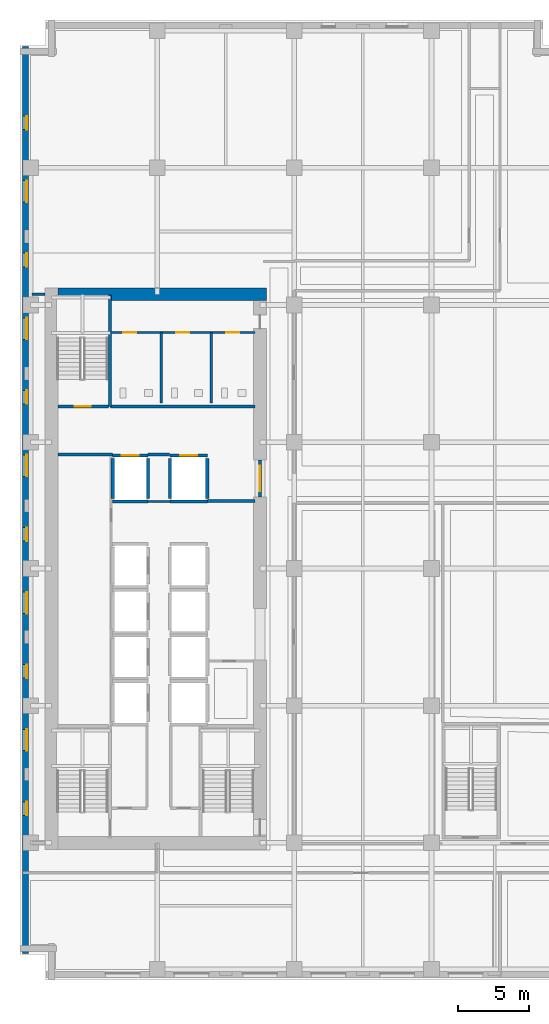
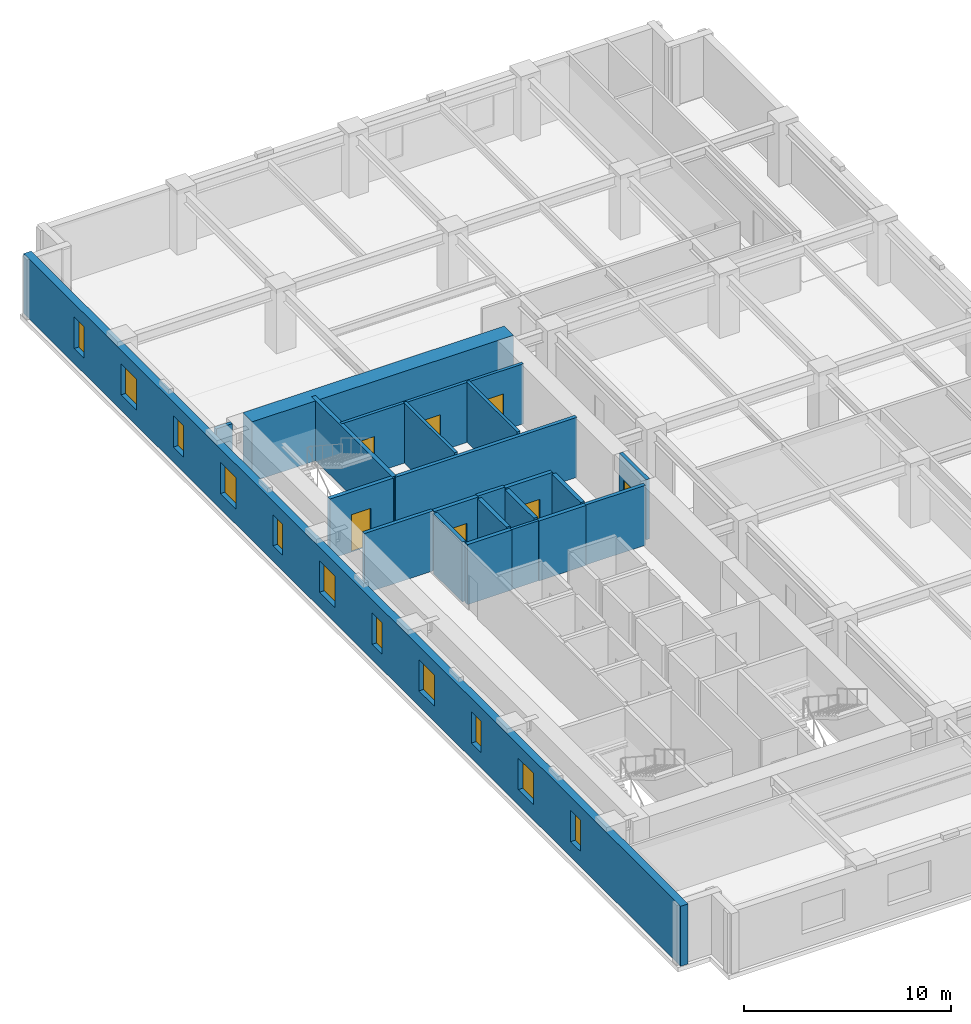
# One storey, part 6 of 15: 22 walls, 11 windows, 7 doors, 18 openings.
"""IFC4 building model written with IfcOpenShell, lengths in metres."""

from ifc_helpers import new_model, si_unit, direction, frame, frame_2d, origin, place, context, subcontext, project, spatial, rectangle, extrude, material, layer, layer_set, type_object, element, fill, save


model = new_model("IFC4")

# Units and contexts
model_context = context("Model", 3, precision=1e-05, world=origin(), true_north=direction((0.0, 1.0)))
body_context = subcontext(model_context, "Body", "Model", "MODEL_VIEW")
ifc_project = project(units=[si_unit("LENGTHUNIT", "METRE"), si_unit("AREAUNIT", "SQUARE_METRE"), si_unit("VOLUMEUNIT", "CUBIC_METRE"), si_unit("PLANEANGLEUNIT", "RADIAN"), si_unit("MASSUNIT", "GRAM", prefix="KILO")], contexts=[model_context])

# Site, building, storey
site_placement = place(None, origin())
site = spatial("IfcSite", under=ifc_project, at=site_placement, CompositionType="ELEMENT")
building_placement = place(site_placement, origin())
building = spatial("IfcBuilding", under=site, at=building_placement, Name="Norrvale University Quadrangle", CompositionType="ELEMENT")
storey_placement = place(building_placement, frame((0.0, 0.0, 88.800048828125)))
storey = spatial("IfcBuildingStorey", under=building, at=storey_placement, Name="L22", CompositionType="ELEMENT", Elevation=88.800048828125)

# Wall, openings, windows
ifc_material_1 = material(Name="Buff Norman Clay Brick Masonry", Category="masonry")
ifc_layer_1 = layer(ifc_material_1, 0.419921875, Name="Buff Norman Clay Brick Masonry")
ifc_layer_set_1 = layer_set([ifc_layer_1], Name="Buff Norman Clay Brick Masonry")
wall_type_1 = type_object("IfcWallType", Name="Wall Buff Brick 420", PredefinedType="SOLIDWALL", material=ifc_layer_set_1)
wall_1_placement = place(storey_placement, frame((0.389892578125, 65.360107421875, 0.0), z_axis=(0.0, 0.0, 1.0), x_axis=(0.0, -1.0, 0.0)))
wall_1 = element("IfcWall", 1, at=wall_1_placement, inside=storey, type_object=wall_type_1, Name="Exterior Brick Facade Wall L22-14.1", PredefinedType="SOLIDWALL", context=body_context, shape_type="SweptSolid", body=[
    extrude(rectangle(XDim=63.52001953125, YDim=0.419921875, at=frame_2d((31.760009765625, 0.0))), origin(), (0.0, 0.0, 1.0), 3.5400390625),
])
opening_1_placement = place(wall_1_placement, frame((4.885009765625, 0.0, 0.89990234375)))
opening_1 = element("IfcOpeningElement", 2, at=opening_1_placement, cuts=wall_1, Name="Opening W04", PredefinedType="OPENING", context=body_context, shape_type="SweptSolid", body=[
    extrude(rectangle(XDim=0.949951171875, YDim=1.85009765625, at=frame_2d((0.47509765625, 0.925048828125))), frame((0.0, 0.221923828125, 0.0), z_axis=(0.0, -1.0, 0.0), x_axis=(1.0, 0.0, 0.0)), (0.0, 0.0, 1.0), 0.44384765625),
])
opening_2_placement = place(wall_1_placement, frame((9.409912109375, 0.0, 0.89990234375)))
opening_2 = element("IfcOpeningElement", 3, at=opening_2_placement, cuts=wall_1, Name="Opening W03", PredefinedType="OPENING", context=body_context, shape_type="SweptSolid", body=[
    extrude(rectangle(XDim=1.5, YDim=1.85009765625, at=frame_2d((0.75, 0.925048828125))), frame((0.0, 0.221923828125, 0.0), z_axis=(0.0, -1.0, 0.0), x_axis=(1.0, 0.0, 0.0)), (0.0, 0.0, 1.0), 0.44384765625),
])
opening_3_placement = place(wall_1_placement, frame((14.485107421875, 0.0, 0.89990234375)))
opening_3 = element("IfcOpeningElement", 4, at=opening_3_placement, cuts=wall_1, Name="Opening W04", PredefinedType="OPENING", context=body_context, shape_type="SweptSolid", body=[
    extrude(rectangle(XDim=0.949951171875, YDim=1.85009765625, at=frame_2d((0.47509765625, 0.925048828125))), frame((0.0, 0.221923828125, 0.0), z_axis=(0.0, -1.0, 0.0), x_axis=(1.0, 0.0, 0.0)), (0.0, 0.0, 1.0), 0.44384765625),
])
opening_4_placement = place(wall_1_placement, frame((19.010009765625, 0.0, 0.89990234375)))
opening_4 = element("IfcOpeningElement", 5, at=opening_4_placement, cuts=wall_1, Name="Opening W03", PredefinedType="OPENING", context=body_context, shape_type="SweptSolid", body=[
    extrude(rectangle(XDim=1.5, YDim=1.85009765625, at=frame_2d((0.75, 0.925048828125))), frame((0.0, 0.221923828125, 0.0), z_axis=(0.0, -1.0, 0.0), x_axis=(1.0, 0.0, 0.0)), (0.0, 0.0, 1.0), 0.44384765625),
])
opening_5_placement = place(wall_1_placement, frame((24.0849609375, 0.0, 0.89990234375)))
opening_5 = element("IfcOpeningElement", 6, at=opening_5_placement, cuts=wall_1, Name="Opening W04", PredefinedType="OPENING", context=body_context, shape_type="SweptSolid", body=[
    extrude(rectangle(XDim=0.949951171875, YDim=1.85009765625, at=frame_2d((0.47509765625, 0.925048828125))), frame((0.0, 0.221923828125, 0.0), z_axis=(0.0, -1.0, 0.0), x_axis=(1.0, 0.0, 0.0)), (0.0, 0.0, 1.0), 0.44384765625),
])
opening_6_placement = place(wall_1_placement, frame((28.610107421875, 0.0, 0.89990234375)))
opening_6 = element("IfcOpeningElement", 7, at=opening_6_placement, cuts=wall_1, Name="Opening W03", PredefinedType="OPENING", context=body_context, shape_type="SweptSolid", body=[
    extrude(rectangle(XDim=1.5, YDim=1.85009765625, at=frame_2d((0.75, 0.925048828125))), frame((0.0, 0.221923828125, 0.0), z_axis=(0.0, -1.0, 0.0), x_axis=(1.0, 0.0, 0.0)), (0.0, 0.0, 1.0), 0.44384765625),
])
opening_7_placement = place(wall_1_placement, frame((33.68505859375, 0.0, 0.89990234375)))
opening_7 = element("IfcOpeningElement", 8, at=opening_7_placement, cuts=wall_1, Name="Opening W04", PredefinedType="OPENING", context=body_context, shape_type="SweptSolid", body=[
    extrude(rectangle(XDim=0.949951171875, YDim=1.85009765625, at=frame_2d((0.47509765625, 0.925048828125))), frame((0.0, 0.221923828125, 0.0), z_axis=(0.0, -1.0, 0.0), x_axis=(1.0, 0.0, 0.0)), (0.0, 0.0, 1.0), 0.44384765625),
])
opening_8_placement = place(wall_1_placement, frame((38.2099609375, 0.0, 0.89990234375)))
opening_8 = element("IfcOpeningElement", 9, at=opening_8_placement, cuts=wall_1, Name="Opening W03", PredefinedType="OPENING", context=body_context, shape_type="SweptSolid", body=[
    extrude(rectangle(XDim=1.5, YDim=1.85009765625, at=frame_2d((0.75, 0.925048828125))), frame((0.0, 0.221923828125, 0.0), z_axis=(0.0, -1.0, 0.0), x_axis=(1.0, 0.0, 0.0)), (0.0, 0.0, 1.0), 0.44384765625),
])
opening_9_placement = place(wall_1_placement, frame((43.284912109375, 0.0, 0.89990234375)))
opening_9 = element("IfcOpeningElement", 10, at=opening_9_placement, cuts=wall_1, Name="Opening W04", PredefinedType="OPENING", context=body_context, shape_type="SweptSolid", body=[
    extrude(rectangle(XDim=0.949951171875, YDim=1.85009765625, at=frame_2d((0.47509765625, 0.925048828125))), frame((0.0, 0.221923828125, 0.0), z_axis=(0.0, -1.0, 0.0), x_axis=(1.0, 0.0, 0.0)), (0.0, 0.0, 1.0), 0.44384765625),
])
opening_10_placement = place(wall_1_placement, frame((47.81005859375, 0.0, 0.89990234375)))
opening_10 = element("IfcOpeningElement", 11, at=opening_10_placement, cuts=wall_1, Name="Opening W03", PredefinedType="OPENING", context=body_context, shape_type="SweptSolid", body=[
    extrude(rectangle(XDim=1.5, YDim=1.85009765625, at=frame_2d((0.75, 0.925048828125))), frame((0.0, 0.221923828125, 0.0), z_axis=(0.0, -1.0, 0.0), x_axis=(1.0, 0.0, 0.0)), (0.0, 0.0, 1.0), 0.44384765625),
])
opening_11_placement = place(wall_1_placement, frame((52.885009765625, 0.0, 0.89990234375)))
opening_11 = element("IfcOpeningElement", 12, at=opening_11_placement, cuts=wall_1, Name="Opening W04", PredefinedType="OPENING", context=body_context, shape_type="SweptSolid", body=[
    extrude(rectangle(XDim=0.949951171875, YDim=1.85009765625, at=frame_2d((0.47509765625, 0.925048828125))), frame((0.0, 0.221923828125, 0.0), z_axis=(0.0, -1.0, 0.0), x_axis=(1.0, 0.0, 0.0)), (0.0, 0.0, 1.0), 0.44384765625),
])
ifc_material_2 = material(Name="Triple Low-E Argon Glazing", Category="glass")
window_type_1 = type_object("IfcWindowType", Name="Window Narrow Pier 950x2300", PartitioningType="SINGLE_PANEL", PredefinedType="WINDOW", material=ifc_material_2)
window_1_placement = place(opening_1_placement, origin())
window_1 = element("IfcWindow", 13, at=window_1_placement, inside=storey, type_object=window_type_1, Name="Window Narrow Pier 950x2300 WIN-L22-E14-1-01", OverallHeight=1.85009765625, OverallWidth=0.949951171875, PartitioningType="SINGLE_PANEL", PredefinedType="WINDOW", context=body_context, shape_type="SweptSolid", body=[
    extrude(rectangle(XDim=0.949951171875, YDim=1.85009765625, at=frame_2d((0.47509765625, 0.925048828125))), frame((0.0, 0.110107421875, 0.0), z_axis=(0.0, -1.0, 0.0), x_axis=(1.0, 0.0, 0.0)), (0.0, 0.0, 1.0), 0.06005859375),
])
fill(opening_1, window_1)
window_2_placement = place(opening_3_placement, origin())
window_2 = element("IfcWindow", 14, at=window_2_placement, inside=storey, type_object=window_type_1, Name="Window Narrow Pier 950x2300 WIN-L22-E14-1-03", OverallHeight=1.85009765625, OverallWidth=0.949951171875, PartitioningType="SINGLE_PANEL", PredefinedType="WINDOW", context=body_context, shape_type="SweptSolid", body=[
    extrude(rectangle(XDim=0.949951171875, YDim=1.85009765625, at=frame_2d((0.47509765625, 0.925048828125))), frame((0.0, 0.110107421875, 0.0), z_axis=(0.0, -1.0, 0.0), x_axis=(1.0, 0.0, 0.0)), (0.0, 0.0, 1.0), 0.06005859375),
])
fill(opening_3, window_2)
window_3_placement = place(opening_5_placement, origin())
window_3 = element("IfcWindow", 15, at=window_3_placement, inside=storey, type_object=window_type_1, Name="Window Narrow Pier 950x2300 WIN-L22-E14-1-05", OverallHeight=1.85009765625, OverallWidth=0.949951171875, PartitioningType="SINGLE_PANEL", PredefinedType="WINDOW", context=body_context, shape_type="SweptSolid", body=[
    extrude(rectangle(XDim=0.949951171875, YDim=1.85009765625, at=frame_2d((0.47509765625, 0.925048828125))), frame((0.0, 0.110107421875, 0.0), z_axis=(0.0, -1.0, 0.0), x_axis=(1.0, 0.0, 0.0)), (0.0, 0.0, 1.0), 0.06005859375),
])
fill(opening_5, window_3)
window_4_placement = place(opening_7_placement, origin())
window_4 = element("IfcWindow", 16, at=window_4_placement, inside=storey, type_object=window_type_1, Name="Window Narrow Pier 950x2300 WIN-L22-E14-1-07", OverallHeight=1.85009765625, OverallWidth=0.949951171875, PartitioningType="SINGLE_PANEL", PredefinedType="WINDOW", context=body_context, shape_type="SweptSolid", body=[
    extrude(rectangle(XDim=0.949951171875, YDim=1.85009765625, at=frame_2d((0.47509765625, 0.925048828125))), frame((0.0, 0.110107421875, 0.0), z_axis=(0.0, -1.0, 0.0), x_axis=(1.0, 0.0, 0.0)), (0.0, 0.0, 1.0), 0.06005859375),
])
fill(opening_7, window_4)
window_5_placement = place(opening_9_placement, origin())
window_5 = element("IfcWindow", 17, at=window_5_placement, inside=storey, type_object=window_type_1, Name="Window Narrow Pier 950x2300 WIN-L22-E14-1-09", OverallHeight=1.85009765625, OverallWidth=0.949951171875, PartitioningType="SINGLE_PANEL", PredefinedType="WINDOW", context=body_context, shape_type="SweptSolid", body=[
    extrude(rectangle(XDim=0.949951171875, YDim=1.85009765625, at=frame_2d((0.47509765625, 0.925048828125))), frame((0.0, 0.110107421875, 0.0), z_axis=(0.0, -1.0, 0.0), x_axis=(1.0, 0.0, 0.0)), (0.0, 0.0, 1.0), 0.06005859375),
])
fill(opening_9, window_5)
window_6_placement = place(opening_11_placement, origin())
window_6 = element("IfcWindow", 18, at=window_6_placement, inside=storey, type_object=window_type_1, Name="Window Narrow Pier 950x2300 WIN-L22-E14-1-11", OverallHeight=1.85009765625, OverallWidth=0.949951171875, PartitioningType="SINGLE_PANEL", PredefinedType="WINDOW", context=body_context, shape_type="SweptSolid", body=[
    extrude(rectangle(XDim=0.949951171875, YDim=1.85009765625, at=frame_2d((0.47509765625, 0.925048828125))), frame((0.0, 0.110107421875, 0.0), z_axis=(0.0, -1.0, 0.0), x_axis=(1.0, 0.0, 0.0)), (0.0, 0.0, 1.0), 0.06005859375),
])
fill(opening_11, window_6)
window_type_2 = type_object("IfcWindowType", Name="Window Studio 1500x2300", PartitioningType="DOUBLE_PANEL_VERTICAL", PredefinedType="WINDOW", material=ifc_material_2)
window_7_placement = place(opening_2_placement, origin())
window_7 = element("IfcWindow", 19, at=window_7_placement, inside=storey, type_object=window_type_2, Name="Window Studio 1500x2300 WIN-L22-E14-1-02", OverallHeight=1.85009765625, OverallWidth=1.5, PartitioningType="DOUBLE_PANEL_VERTICAL", PredefinedType="WINDOW", context=body_context, shape_type="SweptSolid", body=[
    extrude(rectangle(XDim=1.5, YDim=1.85009765625, at=frame_2d((0.75, 0.925048828125))), frame((0.0, 0.110107421875, 0.0), z_axis=(0.0, -1.0, 0.0), x_axis=(1.0, 0.0, 0.0)), (0.0, 0.0, 1.0), 0.06005859375),
])
fill(opening_2, window_7)
window_8_placement = place(opening_4_placement, origin())
window_8 = element("IfcWindow", 20, at=window_8_placement, inside=storey, type_object=window_type_2, Name="Window Studio 1500x2300 WIN-L22-E14-1-04", OverallHeight=1.85009765625, OverallWidth=1.5, PartitioningType="DOUBLE_PANEL_VERTICAL", PredefinedType="WINDOW", context=body_context, shape_type="SweptSolid", body=[
    extrude(rectangle(XDim=1.5, YDim=1.85009765625, at=frame_2d((0.75, 0.925048828125))), frame((0.0, 0.110107421875, 0.0), z_axis=(0.0, -1.0, 0.0), x_axis=(1.0, 0.0, 0.0)), (0.0, 0.0, 1.0), 0.06005859375),
])
fill(opening_4, window_8)
window_9_placement = place(opening_6_placement, origin())
window_9 = element("IfcWindow", 21, at=window_9_placement, inside=storey, type_object=window_type_2, Name="Window Studio 1500x2300 WIN-L22-E14-1-06", OverallHeight=1.85009765625, OverallWidth=1.5, PartitioningType="DOUBLE_PANEL_VERTICAL", PredefinedType="WINDOW", context=body_context, shape_type="SweptSolid", body=[
    extrude(rectangle(XDim=1.5, YDim=1.85009765625, at=frame_2d((0.75, 0.925048828125))), frame((0.0, 0.110107421875, 0.0), z_axis=(0.0, -1.0, 0.0), x_axis=(1.0, 0.0, 0.0)), (0.0, 0.0, 1.0), 0.06005859375),
])
fill(opening_6, window_9)
window_10_placement = place(opening_8_placement, origin())
window_10 = element("IfcWindow", 22, at=window_10_placement, inside=storey, type_object=window_type_2, Name="Window Studio 1500x2300 WIN-L22-E14-1-08", OverallHeight=1.85009765625, OverallWidth=1.5, PartitioningType="DOUBLE_PANEL_VERTICAL", PredefinedType="WINDOW", context=body_context, shape_type="SweptSolid", body=[
    extrude(rectangle(XDim=1.5, YDim=1.85009765625, at=frame_2d((0.75, 0.925048828125))), frame((0.0, 0.110107421875, 0.0), z_axis=(0.0, -1.0, 0.0), x_axis=(1.0, 0.0, 0.0)), (0.0, 0.0, 1.0), 0.06005859375),
])
fill(opening_8, window_10)
window_11_placement = place(opening_10_placement, origin())
window_11 = element("IfcWindow", 23, at=window_11_placement, inside=storey, type_object=window_type_2, Name="Window Studio 1500x2300 WIN-L22-E14-1-10", OverallHeight=1.85009765625, OverallWidth=1.5, PartitioningType="DOUBLE_PANEL_VERTICAL", PredefinedType="WINDOW", context=body_context, shape_type="SweptSolid", body=[
    extrude(rectangle(XDim=1.5, YDim=1.85009765625, at=frame_2d((0.75, 0.925048828125))), frame((0.0, 0.110107421875, 0.0), z_axis=(0.0, -1.0, 0.0), x_axis=(1.0, 0.0, 0.0)), (0.0, 0.0, 1.0), 0.06005859375),
])
fill(opening_10, window_11)

# Walls
ifc_material_3 = material(Name="Concrete C80/95", Category="concrete")
ifc_layer_2 = layer(ifc_material_3, 0.89990234375, Name="Concrete C80/95")
ifc_layer_set_2 = layer_set([ifc_layer_2], Name="Concrete C80/95")
wall_type_2 = type_object("IfcWallType", Name="Wall Core 900", PredefinedType="SHEAR", material=ifc_layer_set_2)
wall_2_placement = place(storey_placement, frame((2.64990234375, 48.0, 0.0), z_axis=(0.0, 0.0, 1.0), x_axis=(1.0, 0.0, 0.0)))
element("IfcWall", 24, at=wall_2_placement, inside=storey, type_object=wall_type_2, Name="Tower Core Shear Wall L22-N", PredefinedType="SHEAR", context=body_context, shape_type="SweptSolid", body=[
    extrude(rectangle(XDim=14.60009765625, YDim=0.89990234375, at=frame_2d((7.300048828125, 0.0))), origin(), (0.0, 0.0, 1.0), 3.5400390625),
])
ifc_material_4 = material(Name="Fire-Rated Gypsum Stud Partition")
ifc_layer_3 = layer(ifc_material_4, 0.14990234375, Name="Fire-Rated Gypsum Stud Partition")
ifc_layer_set_3 = layer_set([ifc_layer_3], Name="Fire-Rated Gypsum Stud Partition")
wall_type_3 = type_object("IfcWallType", Name="Wall Gypsum Corridor 150", PredefinedType="PARTITIONING", material=ifc_layer_set_3)
wall_3_placement = place(storey_placement, frame((8.965087890625, 33.489990234375, 0.0), z_axis=(0.0, 0.0, 1.0), x_axis=(1.0, 0.0, 0.0)))
element("IfcWall", 25, at=wall_3_placement, inside=storey, type_object=wall_type_3, Name="Interior Partition WL-L22-LL3", PredefinedType="PARTITIONING", context=body_context, shape_type="SweptSolid", body=[
    extrude(rectangle(XDim=1.52001953125, YDim=0.14990234375, at=frame_2d((0.760009765625, 0.0))), origin(), (0.0, 0.0, 1.0), 3.5400390625),
])

# Wall, openings, doors
ifc_material_5 = material(Name="Sanitary Chase Gypsum Partition")
ifc_layer_4 = layer(ifc_material_5, 0.1650390625, Name="Sanitary Chase Gypsum Partition")
ifc_layer_set_4 = layer_set([ifc_layer_4], Name="Sanitary Chase Gypsum Partition")
wall_type_4 = type_object("IfcWallType", Name="Wall Gypsum Sanitary 165", PredefinedType="PLUMBINGWALL", material=ifc_layer_set_4)
wall_4_placement = place(storey_placement, frame((6.320068359375, 45.320068359375, 0.0), z_axis=(0.0, 0.0, 1.0), x_axis=(1.0, 0.0, 0.0)))
wall_4 = element("IfcWall", 26, at=wall_4_placement, inside=storey, type_object=wall_type_4, Name="Interior Partition WL-L22-WCN", PredefinedType="PLUMBINGWALL", context=body_context, shape_type="SweptSolid", body=[
    extrude(rectangle(XDim=10.1298828125, YDim=0.1650390625, at=frame_2d((5.06494140625, 0.0))), origin(), (0.0, 0.0, 1.0), 3.5400390625),
])
opening_12_placement = place(wall_4_placement, frame((0.89990234375, 0.0, 0.0)))
opening_12 = element("IfcOpeningElement", 27, at=opening_12_placement, cuts=wall_4, Name="Opening D08", PredefinedType="OPENING", context=body_context, shape_type="SweptSolid", body=[
    extrude(rectangle(XDim=0.919921875, YDim=2.14990234375, at=frame_2d((0.4599609375, 1.074951171875))), frame((0.0, 0.094482421875, 0.0), z_axis=(0.0, -1.0, 0.0), x_axis=(1.0, 0.0, 0.0)), (0.0, 0.0, 1.0), 0.18896484375),
])
opening_13_placement = place(wall_4_placement, frame((4.60009765625, 0.0, 0.0)))
opening_13 = element("IfcOpeningElement", 28, at=opening_13_placement, cuts=wall_4, Name="Opening D08", PredefinedType="OPENING", context=body_context, shape_type="SweptSolid", body=[
    extrude(rectangle(XDim=0.919921875, YDim=2.14990234375, at=frame_2d((0.4599609375, 1.074951171875))), frame((0.0, 0.094482421875, 0.0), z_axis=(0.0, -1.0, 0.0), x_axis=(1.0, 0.0, 0.0)), (0.0, 0.0, 1.0), 0.18896484375),
])
opening_14_placement = place(wall_4_placement, frame((8.10009765625, 0.0, 0.0)))
opening_14 = element("IfcOpeningElement", 29, at=opening_14_placement, cuts=wall_4, Name="Opening D08", PredefinedType="OPENING", context=body_context, shape_type="SweptSolid", body=[
    extrude(rectangle(XDim=0.919921875, YDim=2.14990234375, at=frame_2d((0.4599609375, 1.074951171875))), frame((0.0, 0.094482421875, 0.0), z_axis=(0.0, -1.0, 0.0), x_axis=(1.0, 0.0, 0.0)), (0.0, 0.0, 1.0), 0.18896484375),
])
ifc_material_6 = material(Name="Laminate Washroom Door", Category="wood")
door_type_1 = type_object("IfcDoorType", Name="Door Washroom 920x2150", OperationType="NOTDEFINED", PredefinedType="DOOR", material=ifc_material_6)
door_1_placement = place(opening_12_placement, origin())
door_1 = element("IfcDoor", 30, at=door_1_placement, inside=storey, type_object=door_type_1, Name="Door Washroom 920x2150 DR-L22-WC1", OperationType="SINGLE_SWING_LEFT", OverallHeight=2.14990234375, OverallWidth=0.919921875, PredefinedType="DOOR", context=body_context, shape_type="SweptSolid", body=[
    extrude(rectangle(XDim=0.919921875, YDim=2.14990234375, at=frame_2d((0.4599609375, 1.074951171875))), frame((0.0, 0.02490234375, 0.0), z_axis=(0.0, -1.0, 0.0), x_axis=(1.0, 0.0, 0.0)), (0.0, 0.0, 1.0), 0.050048828125),
])
fill(opening_12, door_1)
door_2_placement = place(opening_13_placement, origin())
door_2 = element("IfcDoor", 31, at=door_2_placement, inside=storey, type_object=door_type_1, Name="Door Washroom 920x2150 DR-L22-WC2", OperationType="SINGLE_SWING_RIGHT", OverallHeight=2.14990234375, OverallWidth=0.919921875, PredefinedType="DOOR", context=body_context, shape_type="SweptSolid", body=[
    extrude(rectangle(XDim=0.919921875, YDim=2.14990234375, at=frame_2d((0.4599609375, 1.074951171875))), frame((0.0, 0.02490234375, 0.0), z_axis=(0.0, -1.0, 0.0), x_axis=(1.0, 0.0, 0.0)), (0.0, 0.0, 1.0), 0.050048828125),
])
fill(opening_13, door_2)
door_3_placement = place(opening_14_placement, origin())
door_3 = element("IfcDoor", 32, at=door_3_placement, inside=storey, type_object=door_type_1, Name="Door Washroom 920x2150 DR-L22-WC3", OperationType="SINGLE_SWING_LEFT", OverallHeight=2.14990234375, OverallWidth=0.919921875, PredefinedType="DOOR", context=body_context, shape_type="SweptSolid", body=[
    extrude(rectangle(XDim=0.919921875, YDim=2.14990234375, at=frame_2d((0.4599609375, 1.074951171875))), frame((0.0, 0.02490234375, 0.0), z_axis=(0.0, -1.0, 0.0), x_axis=(1.0, 0.0, 0.0)), (0.0, 0.0, 1.0), 0.050048828125),
])
fill(opening_14, door_3)

# Walls
for number, where, z_axis, x_axis, name in (
    (33, (9.89990234375, 40.39990234375, 0.0), (0.0, 0.0, 1.0), (0.0, 1.0, 0.0), "Interior Partition WL-L22-WCM1"),
    (34, (13.39990234375, 40.39990234375, 0.0), (0.0, 0.0, 1.0), (0.0, 1.0, 0.0), "Interior Partition WL-L22-WCM2"),
):
    element("IfcWall", number, at=place(storey_placement, frame(where, z_axis=z_axis, x_axis=x_axis)), inside=storey, type_object=wall_type_4, Name=name, PredefinedType="PLUMBINGWALL", context=body_context, shape_type="SweptSolid", body=[
        extrude(rectangle(XDim=4.920166015625, YDim=0.1650390625, at=frame_2d((2.4599609375, 0.0))), origin(), (0.0, 0.0, 1.0), 3.5400390625),
    ])
ifc_material_7 = material(Name="Concrete Blockwork 20 MPa Rated Wall", Category="masonry")
ifc_layer_5 = layer(ifc_material_7, 0.199951171875, Name="Concrete Blockwork 20 MPa Rated Wall")
ifc_layer_set_5 = layer_set([ifc_layer_5], Name="Concrete Blockwork 20 MPa Rated Wall")
wall_type_5 = type_object("IfcWallType", Name="Wall Lobby 200", PredefinedType="SOLIDWALL", material=ifc_layer_set_5)
wall_5_placement = place(storey_placement, frame((2.64990234375, 36.780029296875, 0.0), z_axis=(0.0, 0.0, 1.0), x_axis=(1.0, 0.0, 0.0)))
element("IfcWall", 35, at=wall_5_placement, inside=storey, type_object=wall_type_5, Name="Interior Partition WL-L22-FF1", PredefinedType="SOLIDWALL", context=body_context, shape_type="SweptSolid", body=[
    extrude(rectangle(XDim=3.830078125, YDim=0.199951171875, at=frame_2d((1.9150390625, 0.0))), origin(), (0.0, 0.0, 1.0), 3.5400390625),
])
wall_6_placement = place(storey_placement, frame((8.969970703125, 36.780029296875, 0.0), z_axis=(0.0, 0.0, 1.0), x_axis=(1.0, 0.0, 0.0)))
element("IfcWall", 36, at=wall_6_placement, inside=storey, type_object=wall_type_5, Name="Interior Partition WL-L22-FF2", PredefinedType="SOLIDWALL", context=body_context, shape_type="SweptSolid", body=[
    extrude(rectangle(XDim=1.510009765625, YDim=0.199951171875, at=frame_2d((0.7548828125, 0.0))), origin(), (0.0, 0.0, 1.0), 3.5400390625),
])
wall_7_placement = place(storey_placement, frame((13.1201171875, 33.52001953125, 0.0), z_axis=(0.0, 0.0, 1.0), x_axis=(1.0, 0.0, 0.0)))
element("IfcWall", 37, at=wall_7_placement, inside=storey, type_object=wall_type_5, Name="Interior Partition WL-L22-FF3", PredefinedType="SOLIDWALL", context=body_context, shape_type="SweptSolid", body=[
    extrude(rectangle(XDim=3.329833984375, YDim=0.199951171875, at=frame_2d((1.6650390625, 0.0))), origin(), (0.0, 0.0, 1.0), 3.5400390625),
])
wall_8_placement = place(storey_placement, frame((6.320068359375, 40.139892578125, 0.0), z_axis=(0.0, 0.0, 1.0), x_axis=(1.0, 0.0, 0.0)))
element("IfcWall", 38, at=wall_8_placement, inside=storey, type_object=wall_type_5, Name="Interior Partition WL-L22-FF4", PredefinedType="SOLIDWALL", context=body_context, shape_type="SweptSolid", body=[
    extrude(rectangle(XDim=10.1298828125, YDim=0.199951171875, at=frame_2d((5.06494140625, 0.0))), origin(), (0.0, 0.0, 1.0), 3.5400390625),
])

# Wall, opening, door
wall_9_placement = place(storey_placement, frame((16.800048828125, 33.800048828125, 0.0), z_axis=(0.0, 0.0, 1.0), x_axis=(0.0, 1.0, 0.0)))
wall_9 = element("IfcWall", 39, at=wall_9_placement, inside=storey, type_object=wall_type_5, Name="Interior Partition WL-L22-FFP", PredefinedType="SOLIDWALL", context=body_context, shape_type="SweptSolid", body=[
    extrude(rectangle(XDim=2.599853515625, YDim=0.199951171875, at=frame_2d((1.2998046875, 0.0))), origin(), (0.0, 0.0, 1.0), 3.5400390625),
])
opening_15_placement = place(wall_9_placement, frame((0.39990234375, 0.0, 0.0)))
opening_15 = element("IfcOpeningElement", 40, at=opening_15_placement, cuts=wall_9, Name="Opening D03", PredefinedType="OPENING", context=body_context, shape_type="SweptSolid", body=[
    extrude(rectangle(XDim=1.800048828125, YDim=2.199951171875, at=frame_2d((0.89990234375, 1.10009765625))), frame((0.0, 0.112060546875, 0.0), z_axis=(0.0, -1.0, 0.0), x_axis=(1.0, 0.0, 0.0)), (0.0, 0.0, 1.0), 0.223876953125),
])
ifc_material_8 = material(Name="Hollow Steel 350W Fire Door", Category="steel")
door_type_2 = type_object("IfcDoorType", Name="Door Fire Lobby 1800x2200", OperationType="DOUBLE_DOOR_SINGLE_SWING", PredefinedType="DOOR", material=ifc_material_8)
door_4_placement = place(opening_15_placement, origin())
door_4 = element("IfcDoor", 41, at=door_4_placement, inside=storey, type_object=door_type_2, Name="Door Fire Lobby 1800x2200 DR-L22-FFP", OperationType="DOUBLE_DOOR_SINGLE_SWING", OverallHeight=2.199951171875, OverallWidth=1.800048828125, PredefinedType="DOOR", context=body_context, shape_type="SweptSolid", body=[
    extrude(rectangle(XDim=1.800048828125, YDim=2.199951171875, at=frame_2d((0.89990234375, 1.10009765625))), frame((0.0, 0.02490234375, 0.0), z_axis=(0.0, -1.0, 0.0), x_axis=(1.0, 0.0, 0.0)), (0.0, 0.0, 1.0), 0.050048828125),
])
fill(opening_15, door_4)

# Wall
wall_10_placement = place(storey_placement, frame((0.85009765625, 48.0, 0.0), z_axis=(0.0, 0.0, 1.0), x_axis=(1.0, 0.0, 0.0)))
element("IfcWall", 42, at=wall_10_placement, inside=storey, type_object=wall_type_5, Name="Interior Partition WL-L22-CWRET-N", PredefinedType="SOLIDWALL", context=body_context, shape_type="SweptSolid", body=[
    extrude(rectangle(XDim=0.89501953125, YDim=0.199951171875, at=frame_2d((0.447509765625, 0.0))), origin(), (0.0, 0.0, 1.0), 3.5400390625),
])

# Wall, opening, door
ifc_material_9 = material(Name="Concrete Blockwork 20 MPa Fire Shaft", Category="masonry")
ifc_layer_6 = layer(ifc_material_9, 0.219970703125, Name="Concrete Blockwork 20 MPa Fire Shaft")
ifc_layer_set_6 = layer_set([ifc_layer_6], Name="Concrete Blockwork 20 MPa Fire Shaft")
wall_type_6 = type_object("IfcWallType", Name="Wall Shaft 220", PredefinedType="SOLIDWALL", material=ifc_layer_set_6)
wall_11_placement = place(storey_placement, frame((2.64990234375, 40.139892578125, 0.0), z_axis=(0.0, 0.0, 1.0), x_axis=(1.0, 0.0, 0.0)))
wall_11 = element("IfcWall", 43, at=wall_11_placement, inside=storey, type_object=wall_type_6, Name="Stair ST-02 South Shaft Wall L22", PredefinedType="SOLIDWALL", context=body_context, shape_type="SweptSolid", body=[
    extrude(rectangle(XDim=3.550048828125, YDim=0.219970703125, at=frame_2d((1.77490234375, 0.0))), origin(), (0.0, 0.0, 1.0), 3.5400390625),
])
opening_16_placement = place(wall_11_placement, frame((1.199951171875, 0.0, 0.0)))
opening_16 = element("IfcOpeningElement", 44, at=opening_16_placement, cuts=wall_11, Name="Opening D02", PredefinedType="OPENING", context=body_context, shape_type="SweptSolid", body=[
    extrude(rectangle(XDim=1.10009765625, YDim=2.199951171875, at=frame_2d((0.550048828125, 1.10009765625))), frame((0.0, 0.1220703125, 0.0), z_axis=(0.0, -1.0, 0.0), x_axis=(1.0, 0.0, 0.0)), (0.0, 0.0, 1.0), 0.243896484375),
])
door_type_3 = type_object("IfcDoorType", Name="Door Stair Exit 1100x2200", OperationType="NOTDEFINED", PredefinedType="DOOR", material=ifc_material_8)
door_5_placement = place(opening_16_placement, origin())
door_5 = element("IfcDoor", 45, at=door_5_placement, inside=storey, type_object=door_type_3, Name="Door Stair Exit 1100x2200 DR-L22-ST02", OperationType="SINGLE_SWING_LEFT", OverallHeight=2.199951171875, OverallWidth=1.10009765625, PredefinedType="DOOR", context=body_context, shape_type="SweptSolid", body=[
    extrude(rectangle(XDim=1.10009765625, YDim=2.199951171875, at=frame_2d((0.550048828125, 1.10009765625))), frame((0.0, 0.02490234375, 0.0), z_axis=(0.0, -1.0, 0.0), x_axis=(1.0, 0.0, 0.0)), (0.0, 0.0, 1.0), 0.050048828125),
])
fill(opening_16, door_5)

# Walls
wall_12_placement = place(storey_placement, frame((6.31005859375, 40.139892578125, 0.0), z_axis=(0.0, 0.0, 1.0), x_axis=(0.0, 1.0, 0.0)))
element("IfcWall", 46, at=wall_12_placement, inside=storey, type_object=wall_type_6, Name="Stair ST-02 East Shaft Wall L22", PredefinedType="SOLIDWALL", context=body_context, shape_type="SweptSolid", body=[
    extrude(rectangle(XDim=7.81005859375, YDim=0.219970703125, at=frame_2d((3.905029296875, 0.0))), origin(), (0.0, 0.0, 1.0), 3.5400390625),
])
for number, where, z_axis, x_axis, name in (
    (47, (6.489990234375, 33.7099609375, 0.0), (0.0, 0.0, 1.0), (0.0, 1.0, 0.0), "Hoistway FFL-01 West Wall L22"),
    (48, (8.9599609375, 33.7099609375, 0.0), (0.0, 0.0, 1.0), (0.0, 1.0, 0.0), "Hoistway FFL-01 East Wall L22"),
):
    element("IfcWall", number, at=place(storey_placement, frame(where, z_axis=z_axis, x_axis=x_axis)), inside=storey, type_object=wall_type_6, Name=name, PredefinedType="SOLIDWALL", context=body_context, shape_type="SweptSolid", body=[
        extrude(rectangle(XDim=2.780029296875, YDim=0.219970703125, at=frame_2d((1.39013671875, 0.0))), origin(), (0.0, 0.0, 1.0), 3.5400390625),
    ])
wall_13_placement = place(storey_placement, frame((6.489990234375, 33.489990234375, 0.0), z_axis=(0.0, 0.0, 1.0), x_axis=(1.0, 0.0, 0.0)))
element("IfcWall", 49, at=wall_13_placement, inside=storey, type_object=wall_type_6, Name="Hoistway FFL-01 South Wall L22", PredefinedType="SOLIDWALL", context=body_context, shape_type="SweptSolid", body=[
    extrude(rectangle(XDim=2.469970703125, YDim=0.219970703125, at=frame_2d((1.23486328125, 0.0))), origin(), (0.0, 0.0, 1.0), 3.5400390625),
])

# Wall, opening, door
wall_14_placement = place(storey_placement, frame((6.489990234375, 36.7099609375, 0.0), z_axis=(0.0, 0.0, 1.0), x_axis=(1.0, 0.0, 0.0)))
wall_14 = element("IfcWall", 50, at=wall_14_placement, inside=storey, type_object=wall_type_6, Name="Hoistway FFL-01 North Wall L22", PredefinedType="SOLIDWALL", context=body_context, shape_type="SweptSolid", body=[
    extrude(rectangle(XDim=2.469970703125, YDim=0.219970703125, at=frame_2d((1.23486328125, 0.0))), origin(), (0.0, 0.0, 1.0), 3.5400390625),
])
opening_17_placement = place(wall_14_placement, frame((0.635009765625, 0.0, 0.0)))
opening_17 = element("IfcOpeningElement", 51, at=opening_17_placement, cuts=wall_14, Name="Opening LD2", PredefinedType="OPENING", context=body_context, shape_type="SweptSolid", body=[
    extrude(rectangle(XDim=1.199951171875, YDim=2.199951171875, at=frame_2d((0.60009765625, 1.10009765625))), frame((0.0, 0.1220703125, 0.0), z_axis=(0.0, -1.0, 0.0), x_axis=(1.0, 0.0, 0.0)), (0.0, 0.0, 1.0), 0.243896484375),
])
ifc_material_10 = material(Name="Stainless Steel 316L Firefighter Lift Door", Category="steel")
door_type_4 = type_object("IfcDoorType", Name="Door Fire Lift 1200x2200", OperationType="DOUBLE_DOOR_SLIDING", PredefinedType="DOOR", material=ifc_material_10)
door_6_placement = place(opening_17_placement, origin())
door_6 = element("IfcDoor", 52, at=door_6_placement, inside=storey, type_object=door_type_4, Name="Elevator Landing Door DR-L22-FFL-01", OperationType="DOUBLE_DOOR_SLIDING", OverallHeight=2.199951171875, OverallWidth=1.199951171875, PredefinedType="DOOR", context=body_context, shape_type="SweptSolid", body=[
    extrude(rectangle(XDim=1.199951171875, YDim=2.199951171875, at=frame_2d((0.60009765625, 1.10009765625))), frame((0.0, 0.02490234375, 0.0), z_axis=(0.0, -1.0, 0.0), x_axis=(1.0, 0.0, 0.0)), (0.0, 0.0, 1.0), 0.050048828125),
])
fill(opening_17, door_6)

# Walls
for number, where, z_axis, x_axis, name in (
    (53, (10.489990234375, 33.7099609375, 0.0), (0.0, 0.0, 1.0), (0.0, 1.0, 0.0), "Hoistway FFL-02 West Wall L22"),
    (54, (13.110107421875, 33.7099609375, 0.0), (0.0, 0.0, 1.0), (0.0, 1.0, 0.0), "Hoistway FFL-02 East Wall L22"),
):
    element("IfcWall", number, at=place(storey_placement, frame(where, z_axis=z_axis, x_axis=x_axis)), inside=storey, type_object=wall_type_6, Name=name, PredefinedType="SOLIDWALL", context=body_context, shape_type="SweptSolid", body=[
        extrude(rectangle(XDim=2.780029296875, YDim=0.219970703125, at=frame_2d((1.39013671875, 0.0))), origin(), (0.0, 0.0, 1.0), 3.5400390625),
    ])
wall_15_placement = place(storey_placement, frame((10.489990234375, 33.489990234375, 0.0), z_axis=(0.0, 0.0, 1.0), x_axis=(1.0, 0.0, 0.0)))
element("IfcWall", 55, at=wall_15_placement, inside=storey, type_object=wall_type_6, Name="Hoistway FFL-02 South Wall L22", PredefinedType="SOLIDWALL", context=body_context, shape_type="SweptSolid", body=[
    extrude(rectangle(XDim=2.6201171875, YDim=0.219970703125, at=frame_2d((1.31005859375, 0.0))), origin(), (0.0, 0.0, 1.0), 3.5400390625),
])

# Wall, opening, door
wall_16_placement = place(storey_placement, frame((10.489990234375, 36.7099609375, 0.0), z_axis=(0.0, 0.0, 1.0), x_axis=(1.0, 0.0, 0.0)))
wall_16 = element("IfcWall", 56, at=wall_16_placement, inside=storey, type_object=wall_type_6, Name="Hoistway FFL-02 North Wall L22", PredefinedType="SOLIDWALL", context=body_context, shape_type="SweptSolid", body=[
    extrude(rectangle(XDim=2.6201171875, YDim=0.219970703125, at=frame_2d((1.31005859375, 0.0))), origin(), (0.0, 0.0, 1.0), 3.5400390625),
])
opening_18_placement = place(wall_16_placement, frame((0.7099609375, 0.0, 0.0)))
opening_18 = element("IfcOpeningElement", 57, at=opening_18_placement, cuts=wall_16, Name="Opening LD2", PredefinedType="OPENING", context=body_context, shape_type="SweptSolid", body=[
    extrude(rectangle(XDim=1.199951171875, YDim=2.199951171875, at=frame_2d((0.60009765625, 1.10009765625))), frame((0.0, 0.1220703125, 0.0), z_axis=(0.0, -1.0, 0.0), x_axis=(1.0, 0.0, 0.0)), (0.0, 0.0, 1.0), 0.243896484375),
])
door_7_placement = place(opening_18_placement, origin())
door_7 = element("IfcDoor", 58, at=door_7_placement, inside=storey, type_object=door_type_4, Name="Elevator Landing Door DR-L22-FFL-02", OperationType="DOUBLE_DOOR_SLIDING", OverallHeight=2.199951171875, OverallWidth=1.199951171875, PredefinedType="DOOR", context=body_context, shape_type="SweptSolid", body=[
    extrude(rectangle(XDim=1.199951171875, YDim=2.199951171875, at=frame_2d((0.60009765625, 1.10009765625))), frame((0.0, 0.02490234375, 0.0), z_axis=(0.0, -1.0, 0.0), x_axis=(1.0, 0.0, 0.0)), (0.0, 0.0, 1.0), 0.050048828125),
])
fill(opening_18, door_7)

save(model, "model.ifc")
